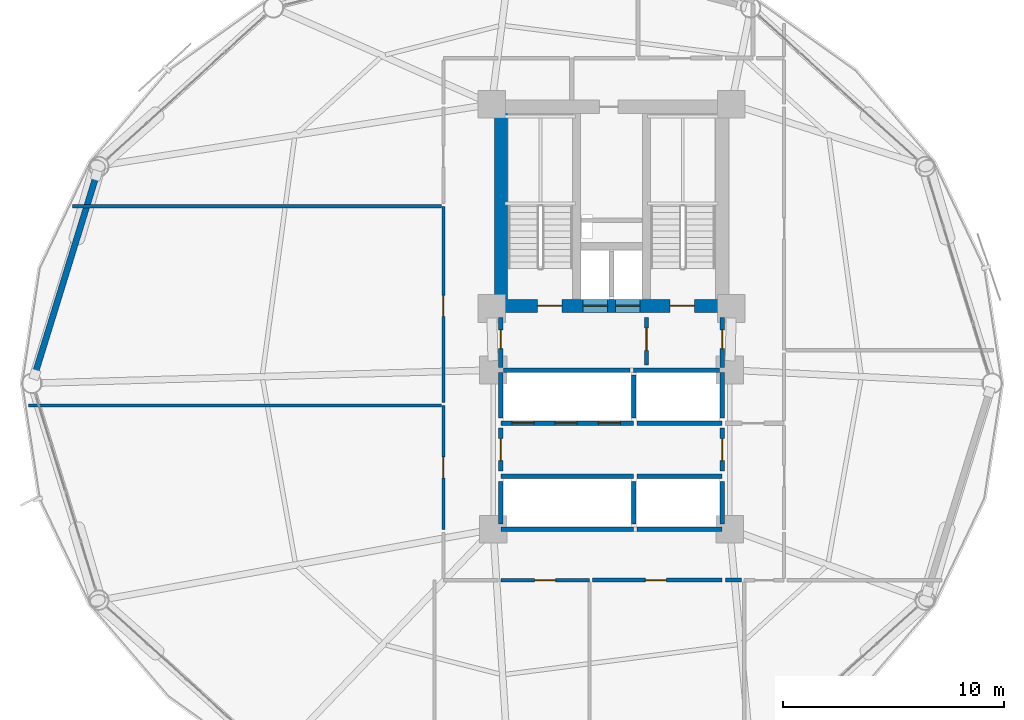
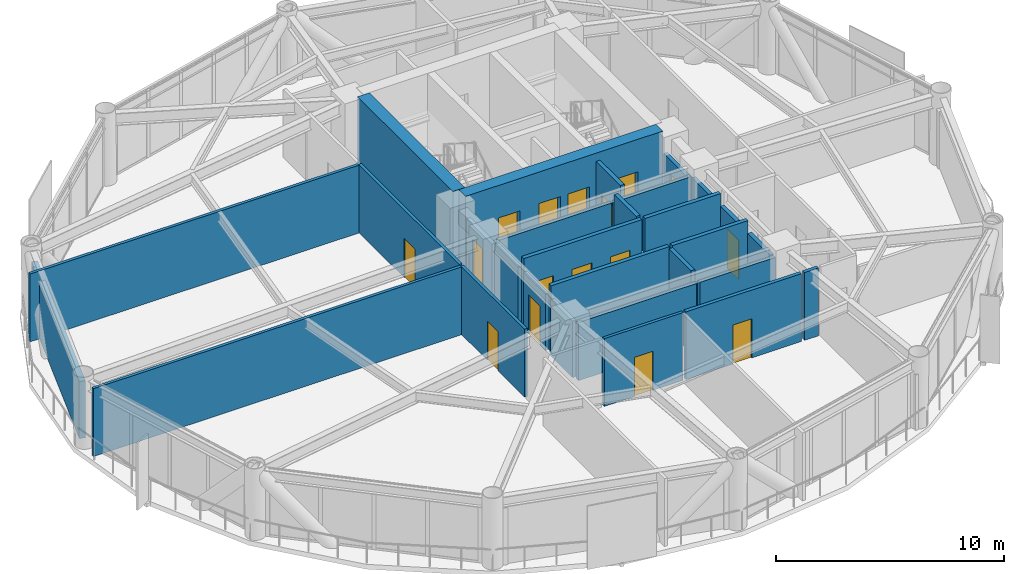
# One storey, part 20 of 25: 29 walls, 16 doors, 16 openings.
"""IFC4 building model written with IfcOpenShell, lengths in metres."""

from ifc_helpers import new_model, si_unit, direction, frame, frame_2d, origin, place, context, subcontext, project, spatial, rectangle, extrude, material, layer, layer_set, type_object, element, fill, save


model = new_model("IFC4")

# Units and contexts
model_context = context("Model", 3, precision=1e-05, world=origin(), true_north=direction((0.0, 1.0)))
body_context = subcontext(model_context, "Body", "Model", "MODEL_VIEW")
ifc_project = project(units=[si_unit("LENGTHUNIT", "METRE"), si_unit("AREAUNIT", "SQUARE_METRE"), si_unit("VOLUMEUNIT", "CUBIC_METRE"), si_unit("PLANEANGLEUNIT", "RADIAN"), si_unit("MASSUNIT", "GRAM", prefix="KILO")], contexts=[model_context])

# Site, building, storey
site_placement = place(None, origin())
site = spatial("IfcSite", under=ifc_project, at=site_placement, CompositionType="ELEMENT")
building_placement = place(site_placement, origin())
building = spatial("IfcBuilding", under=site, at=building_placement, Name="Varnakorn Sky Granary", CompositionType="ELEMENT")
storey_placement = place(building_placement, frame((0.0, 0.0, 70.5)))
storey = spatial("IfcBuildingStorey", under=building, at=storey_placement, Name="L17", CompositionType="ELEMENT", Elevation=70.5)

# Wall, openings, doors
ifc_material_1 = material(Name="Concrete C60/75", Category="concrete")
ifc_layer_1 = layer(ifc_material_1, 0.60009765625, Name="Concrete C60/75")
ifc_layer_set_1 = layer_set([ifc_layer_1], Name="Concrete C60/75")
wall_type_1 = type_object("IfcWallType", Name="WT-CW-SHEAR-600", PredefinedType="SHEAR", material=ifc_layer_set_1)
wall_1_placement = place(storey_placement, frame((-2.0, 3.5, 0.0), z_axis=(0.0, 0.0, 1.0), x_axis=(1.0, 0.0, 0.0)))
wall_1 = element("IfcWall", 1, at=wall_1_placement, inside=storey, type_object=wall_type_1, Name="Core South Shear Wall L17", PredefinedType="SHEAR", context=body_context, shape_type="SweptSolid", body=[
    extrude(rectangle(XDim=10.0, YDim=0.60009765625, at=frame_2d((5.0, 0.0))), origin(), (0.0, 0.0, 1.0), 3.89208984375),
])
opening_1_placement = place(wall_1_placement, frame((1.64990234375, 0.0, 0.0)))
opening_1 = element("IfcOpeningElement", 2, at=opening_1_placement, cuts=wall_1, Name="Opening FD-90", PredefinedType="OPENING", context=body_context, shape_type="SweptSolid", body=[
    extrude(rectangle(XDim=1.10009765625, YDim=2.14990234375, at=frame_2d((0.550048828125, 1.074951171875))), frame((0.0, 0.31005859375, 0.0), z_axis=(0.0, -1.0, 0.0), x_axis=(1.0, 0.0, 0.0)), (0.0, 0.0, 1.0), 0.6201171875),
])
opening_2_placement = place(wall_1_placement, frame((7.64990234375, 0.0, 0.0)))
opening_2 = element("IfcOpeningElement", 3, at=opening_2_placement, cuts=wall_1, Name="Opening FD-90", PredefinedType="OPENING", context=body_context, shape_type="SweptSolid", body=[
    extrude(rectangle(XDim=1.10009765625, YDim=2.14990234375, at=frame_2d((0.550048828125, 1.074951171875))), frame((0.0, 0.31005859375, 0.0), z_axis=(0.0, -1.0, 0.0), x_axis=(1.0, 0.0, 0.0)), (0.0, 0.0, 1.0), 0.6201171875),
])
opening_3_placement = place(wall_1_placement, frame((3.719970703125, 0.0, 0.0)))
opening_3 = element("IfcOpeningElement", 4, at=opening_3_placement, cuts=wall_1, Name="Opening LD-01", PredefinedType="OPENING", context=body_context, shape_type="SweptSolid", body=[
    extrude(rectangle(XDim=1.10009765625, YDim=2.199951171875, at=frame_2d((0.550048828125, 1.10009765625))), frame((0.0, 0.31005859375, 0.0), z_axis=(0.0, -1.0, 0.0), x_axis=(1.0, 0.0, 0.0)), (0.0, 0.0, 1.0), 0.6201171875),
])
opening_4_placement = place(wall_1_placement, frame((5.179931640625, 0.0, 0.0)))
opening_4 = element("IfcOpeningElement", 5, at=opening_4_placement, cuts=wall_1, Name="Opening LD-01", PredefinedType="OPENING", context=body_context, shape_type="SweptSolid", body=[
    extrude(rectangle(XDim=1.10009765625, YDim=2.199951171875, at=frame_2d((0.550048828125, 1.10009765625))), frame((0.0, 0.31005859375, 0.0), z_axis=(0.0, -1.0, 0.0), x_axis=(1.0, 0.0, 0.0)), (0.0, 0.0, 1.0), 0.6201171875),
])
ifc_material_2 = material(Name="Brushed Bronze Stainless Steel", Category="steel")
door_type_1 = type_object("IfcDoorType", Name="DR-LD-1100", OperationType="DOUBLE_DOOR_SLIDING", PredefinedType="DOOR", material=ifc_material_2)
door_1_placement = place(opening_3_placement, origin())
door_1 = element("IfcDoor", 6, at=door_1_placement, inside=storey, type_object=door_type_1, Name="Firefighting Lift FFL-1 Landing Door L17", OperationType="DOUBLE_DOOR_SLIDING", OverallHeight=2.199951171875, OverallWidth=1.10009765625, PredefinedType="DOOR", context=body_context, shape_type="SweptSolid", body=[
    extrude(rectangle(XDim=1.10009765625, YDim=2.199951171875, at=frame_2d((0.550048828125, 1.10009765625))), frame((0.0, 0.02490234375, 0.0), z_axis=(0.0, -1.0, 0.0), x_axis=(1.0, 0.0, 0.0)), (0.0, 0.0, 1.0), 0.050048828125),
])
fill(opening_3, door_1)
door_2_placement = place(opening_4_placement, origin())
door_2 = element("IfcDoor", 7, at=door_2_placement, inside=storey, type_object=door_type_1, Name="Firefighting Lift FFL-2 Landing Door L17", OperationType="DOUBLE_DOOR_SLIDING", OverallHeight=2.199951171875, OverallWidth=1.10009765625, PredefinedType="DOOR", context=body_context, shape_type="SweptSolid", body=[
    extrude(rectangle(XDim=1.10009765625, YDim=2.199951171875, at=frame_2d((0.550048828125, 1.10009765625))), frame((0.0, 0.02490234375, 0.0), z_axis=(0.0, -1.0, 0.0), x_axis=(1.0, 0.0, 0.0)), (0.0, 0.0, 1.0), 0.050048828125),
])
fill(opening_4, door_2)
ifc_material_3 = material(Name="Galvanised Painted Steel Leaf", Category="steel")
door_type_2 = type_object("IfcDoorType", Name="DR-STAIR-1100", OperationType="NOTDEFINED", PredefinedType="DOOR", material=ifc_material_3)
door_3_placement = place(opening_1_placement, origin())
door_3 = element("IfcDoor", 8, at=door_3_placement, inside=storey, type_object=door_type_2, Name="Stair ST-1 Protected Fire Door L17", OperationType="SINGLE_SWING_LEFT", OverallHeight=2.14990234375, OverallWidth=1.10009765625, PredefinedType="DOOR", context=body_context, shape_type="SweptSolid", body=[
    extrude(rectangle(XDim=1.10009765625, YDim=2.14990234375, at=frame_2d((0.550048828125, 1.074951171875))), frame((0.0, 0.02490234375, 0.0), z_axis=(0.0, -1.0, 0.0), x_axis=(1.0, 0.0, 0.0)), (0.0, 0.0, 1.0), 0.050048828125),
])
fill(opening_1, door_3)
door_4_placement = place(opening_2_placement, origin())
door_4 = element("IfcDoor", 9, at=door_4_placement, inside=storey, type_object=door_type_2, Name="Stair ST-2 Protected Fire Door L17", OperationType="SINGLE_SWING_RIGHT", OverallHeight=2.14990234375, OverallWidth=1.10009765625, PredefinedType="DOOR", context=body_context, shape_type="SweptSolid", body=[
    extrude(rectangle(XDim=1.10009765625, YDim=2.14990234375, at=frame_2d((0.550048828125, 1.074951171875))), frame((0.0, 0.02490234375, 0.0), z_axis=(0.0, -1.0, 0.0), x_axis=(1.0, 0.0, 0.0)), (0.0, 0.0, 1.0), 0.050048828125),
])
fill(opening_2, door_4)

# Walls
wall_2_placement = place(storey_placement, frame((-2.0, 3.81005859375, 0.0), z_axis=(0.0, 0.0, 1.0), x_axis=(0.0, 1.0, 0.0)))
element("IfcWall", 10, at=wall_2_placement, inside=storey, type_object=wall_type_1, Name="Core West Shear Wall L17", PredefinedType="SHEAR", context=body_context, shape_type="SweptSolid", body=[
    extrude(rectangle(XDim=8.3798828125, YDim=0.60009765625, at=frame_2d((4.18994140625, 0.0))), origin(), (0.0, 0.0, 1.0), 3.89208984375),
])
ifc_material_4 = material(Name="Precast concrete C40/50", Category="concrete")
ifc_layer_2 = layer(ifc_material_4, 0.280029296875, Name="Precast concrete C40/50")
ifc_layer_set_2 = layer_set([ifc_layer_2], Name="Precast concrete C40/50")
wall_type_2 = type_object("IfcWallType", Name="WT-EW-CRN-280", PredefinedType="SOLIDWALL", material=ifc_layer_set_2)
wall_3_placement = place(storey_placement, frame((-23.072509765625, 0.393798828125, 0.0), z_axis=(0.0, 0.0, 1.0), x_axis=(0.294895424551, 0.955529533075, 0.0)))
element("IfcWall", 11, at=wall_3_placement, inside=storey, type_object=wall_type_2, Name="Agritech Insulated Precast Facade Wall L17-P06", PredefinedType="SOLIDWALL", context=body_context, shape_type="SweptSolid", body=[
    extrude(rectangle(XDim=9.4287109375, YDim=0.280029296875, at=frame_2d((4.71435546875, 0.0))), origin(), (0.0, 0.0, 1.0), 3.06005859375),
])

# Wall, opening, door
ifc_material_5 = material(Name="Autoclaved Aerated Concrete Blockwork", Category="masonry")
ifc_layer_3 = layer(ifc_material_5, 0.199951171875, Name="Autoclaved Aerated Concrete Blockwork")
ifc_layer_set_3 = layer_set([ifc_layer_3], Name="Autoclaved Aerated Concrete Blockwork")
wall_type_3 = type_object("IfcWallType", Name="WT-FIRE-200", PredefinedType="MOVABLE", material=ifc_layer_set_3)
wall_4_placement = place(storey_placement, frame((4.580078125, 0.830078125, 0.0), z_axis=(0.0, 0.0, 1.0), x_axis=(0.0, 1.0, 0.0)))
wall_4 = element("IfcWall", 12, at=wall_4_placement, inside=storey, type_object=wall_type_3, Name="Interior Partition Wall L17-016", PredefinedType="MOVABLE", context=body_context, shape_type="SweptSolid", body=[
    extrude(rectangle(XDim=2.139892578125, YDim=0.199951171875, at=frame_2d((1.06982421875, 0.0))), origin(), (0.0, 0.0, 1.0), 3.639892578125),
])
opening_5_placement = place(wall_4_placement, frame((0.659912109375, 0.0, 0.0)))
opening_5 = element("IfcOpeningElement", 13, at=opening_5_placement, cuts=wall_4, Name="Opening FD-60", PredefinedType="OPENING", context=body_context, shape_type="SweptSolid", body=[
    extrude(rectangle(XDim=1.0, YDim=2.10009765625, at=frame_2d((0.5, 1.050048828125))), frame((0.0, 0.10986328125, 0.0), z_axis=(0.0, -1.0, 0.0), x_axis=(1.0, 0.0, 0.0)), (0.0, 0.0, 1.0), 0.219970703125),
])
ifc_material_6 = material(Name="Acoustic Timber Fire Leaf", Category="wood")
door_type_3 = type_object("IfcDoorType", Name="DR-FD60-1000", OperationType="NOTDEFINED", PredefinedType="DOOR", material=ifc_material_6)
door_5_placement = place(opening_5_placement, origin())
door_5 = element("IfcDoor", 14, at=door_5_placement, inside=storey, type_object=door_type_3, Name="Interior Door L17-016-1", OperationType="SINGLE_SWING_RIGHT", OverallHeight=2.10009765625, OverallWidth=1.0, PredefinedType="DOOR", context=body_context, shape_type="SweptSolid", body=[
    extrude(rectangle(XDim=1.0, YDim=2.10009765625, at=frame_2d((0.5, 1.050048828125))), frame((0.0, 0.02490234375, 0.0), z_axis=(0.0, -1.0, 0.0), x_axis=(1.0, 0.0, 0.0)), (0.0, 0.0, 1.0), 0.050048828125),
])
fill(opening_5, door_5)

wall_5_placement = place(storey_placement, frame((-2.0, 0.719970703125, 0.0), z_axis=(0.0, 0.0, 1.0), x_axis=(0.0, 1.0, 0.0)))
wall_5 = element("IfcWall", 15, at=wall_5_placement, inside=storey, type_object=wall_type_3, Name="Interior Partition Wall L17-017", PredefinedType="MOVABLE", context=body_context, shape_type="SweptSolid", body=[
    extrude(rectangle(XDim=2.25, YDim=0.199951171875, at=frame_2d((1.125, 0.0))), origin(), (0.0, 0.0, 1.0), 2.8720703125),
])
opening_6_placement = place(wall_5_placement, frame((0.844970703125, 0.0, 0.0)))
opening_6 = element("IfcOpeningElement", 16, at=opening_6_placement, cuts=wall_5, Name="Opening FD-60N", PredefinedType="OPENING", context=body_context, shape_type="SweptSolid", body=[
    extrude(rectangle(XDim=0.85009765625, YDim=2.10009765625, at=frame_2d((0.425048828125, 1.050048828125))), frame((0.0, 0.10986328125, 0.0), z_axis=(0.0, -1.0, 0.0), x_axis=(1.0, 0.0, 0.0)), (0.0, 0.0, 1.0), 0.219970703125),
])
door_type_4 = type_object("IfcDoorType", Name="DR-FD60-850", OperationType="NOTDEFINED", PredefinedType="DOOR", material=ifc_material_6)
door_6_placement = place(opening_6_placement, origin())
door_6 = element("IfcDoor", 17, at=door_6_placement, inside=storey, type_object=door_type_4, Name="Interior Door L17-017-1", OperationType="SINGLE_SWING_LEFT", OverallHeight=2.10009765625, OverallWidth=0.85009765625, PredefinedType="DOOR", context=body_context, shape_type="SweptSolid", body=[
    extrude(rectangle(XDim=0.85009765625, YDim=2.10009765625, at=frame_2d((0.425048828125, 1.050048828125))), frame((0.0, 0.02490234375, 0.0), z_axis=(0.0, -1.0, 0.0), x_axis=(1.0, 0.0, 0.0)), (0.0, 0.0, 1.0), 0.050048828125),
])
fill(opening_6, door_6)

wall_6_placement = place(storey_placement, frame((8.0, 0.719970703125, 0.0), z_axis=(0.0, 0.0, 1.0), x_axis=(0.0, 1.0, 0.0)))
wall_6 = element("IfcWall", 18, at=wall_6_placement, inside=storey, type_object=wall_type_3, Name="Interior Partition Wall L17-018", PredefinedType="MOVABLE", context=body_context, shape_type="SweptSolid", body=[
    extrude(rectangle(XDim=2.25, YDim=0.199951171875, at=frame_2d((1.125, 0.0))), origin(), (0.0, 0.0, 1.0), 2.8720703125),
])
opening_7_placement = place(wall_6_placement, frame((0.844970703125, 0.0, 0.0)))
opening_7 = element("IfcOpeningElement", 19, at=opening_7_placement, cuts=wall_6, Name="Opening FD-60N", PredefinedType="OPENING", context=body_context, shape_type="SweptSolid", body=[
    extrude(rectangle(XDim=0.85009765625, YDim=2.10009765625, at=frame_2d((0.425048828125, 1.050048828125))), frame((0.0, 0.10986328125, 0.0), z_axis=(0.0, -1.0, 0.0), x_axis=(1.0, 0.0, 0.0)), (0.0, 0.0, 1.0), 0.219970703125),
])
door_7_placement = place(opening_7_placement, origin())
door_7 = element("IfcDoor", 20, at=door_7_placement, inside=storey, type_object=door_type_4, Name="Interior Door L17-018-1", OperationType="SINGLE_SWING_RIGHT", OverallHeight=2.10009765625, OverallWidth=0.85009765625, PredefinedType="DOOR", context=body_context, shape_type="SweptSolid", body=[
    extrude(rectangle(XDim=0.85009765625, YDim=2.10009765625, at=frame_2d((0.425048828125, 1.050048828125))), frame((0.0, 0.02490234375, 0.0), z_axis=(0.0, -1.0, 0.0), x_axis=(1.0, 0.0, 0.0)), (0.0, 0.0, 1.0), 0.050048828125),
])
fill(opening_7, door_7)

wall_7_placement = place(storey_placement, frame((-2.0, -3.969970703125, 0.0), z_axis=(0.0, 0.0, 1.0), x_axis=(0.0, 1.0, 0.0)))
wall_7 = element("IfcWall", 21, at=wall_7_placement, inside=storey, type_object=wall_type_3, Name="Interior Partition Wall L17-019", PredefinedType="MOVABLE", context=body_context, shape_type="SweptSolid", body=[
    extrude(rectangle(XDim=1.93994140625, YDim=0.199951171875, at=frame_2d((0.969970703125, 0.0))), origin(), (0.0, 0.0, 1.0), 3.02197265625),
])
opening_8_placement = place(wall_7_placement, frame((0.469970703125, 0.0, 0.0)))
opening_8 = element("IfcOpeningElement", 22, at=opening_8_placement, cuts=wall_7, Name="Opening FD-60", PredefinedType="OPENING", context=body_context, shape_type="SweptSolid", body=[
    extrude(rectangle(XDim=1.0, YDim=2.10009765625, at=frame_2d((0.5, 1.050048828125))), frame((0.0, 0.10986328125, 0.0), z_axis=(0.0, -1.0, 0.0), x_axis=(1.0, 0.0, 0.0)), (0.0, 0.0, 1.0), 0.219970703125),
])
door_8_placement = place(opening_8_placement, origin())
door_8 = element("IfcDoor", 23, at=door_8_placement, inside=storey, type_object=door_type_3, Name="Interior Door L17-019-1", OperationType="SINGLE_SWING_LEFT", OverallHeight=2.10009765625, OverallWidth=1.0, PredefinedType="DOOR", context=body_context, shape_type="SweptSolid", body=[
    extrude(rectangle(XDim=1.0, YDim=2.10009765625, at=frame_2d((0.5, 1.050048828125))), frame((0.0, 0.02490234375, 0.0), z_axis=(0.0, -1.0, 0.0), x_axis=(1.0, 0.0, 0.0)), (0.0, 0.0, 1.0), 0.050048828125),
])
fill(opening_8, door_8)

wall_8_placement = place(storey_placement, frame((8.0, -3.969970703125, 0.0), z_axis=(0.0, 0.0, 1.0), x_axis=(0.0, 1.0, 0.0)))
wall_8 = element("IfcWall", 24, at=wall_8_placement, inside=storey, type_object=wall_type_3, Name="Interior Partition Wall L17-020", PredefinedType="MOVABLE", context=body_context, shape_type="SweptSolid", body=[
    extrude(rectangle(XDim=1.93994140625, YDim=0.199951171875, at=frame_2d((0.969970703125, 0.0))), origin(), (0.0, 0.0, 1.0), 3.072021484375),
])
opening_9_placement = place(wall_8_placement, frame((0.469970703125, 0.0, 0.0)))
opening_9 = element("IfcOpeningElement", 25, at=opening_9_placement, cuts=wall_8, Name="Opening FD-60", PredefinedType="OPENING", context=body_context, shape_type="SweptSolid", body=[
    extrude(rectangle(XDim=1.0, YDim=2.10009765625, at=frame_2d((0.5, 1.050048828125))), frame((0.0, 0.10986328125, 0.0), z_axis=(0.0, -1.0, 0.0), x_axis=(1.0, 0.0, 0.0)), (0.0, 0.0, 1.0), 0.219970703125),
])
door_9_placement = place(opening_9_placement, origin())
door_9 = element("IfcDoor", 26, at=door_9_placement, inside=storey, type_object=door_type_3, Name="Interior Door L17-020-1", OperationType="SINGLE_SWING_RIGHT", OverallHeight=2.10009765625, OverallWidth=1.0, PredefinedType="DOOR", context=body_context, shape_type="SweptSolid", body=[
    extrude(rectangle(XDim=1.0, YDim=2.10009765625, at=frame_2d((0.5, 1.050048828125))), frame((0.0, 0.02490234375, 0.0), z_axis=(0.0, -1.0, 0.0), x_axis=(1.0, 0.0, 0.0)), (0.0, 0.0, 1.0), 0.050048828125),
])
fill(opening_9, door_9)

# Wall
wall_9_placement = place(storey_placement, frame((-1.8798828125, 0.60009765625, 0.0), z_axis=(0.0, 0.0, 1.0), x_axis=(1.0, 0.0, 0.0)))
element("IfcWall", 27, at=wall_9_placement, inside=storey, type_object=wall_type_3, Name="Interior Partition Wall L17-031", PredefinedType="MOVABLE", context=body_context, shape_type="SweptSolid", body=[
    extrude(rectangle(XDim=5.719970703125, YDim=0.199951171875, at=frame_2d((2.85986328125, 0.0))), origin(), (0.0, 0.0, 1.0), 3.1220703125),
])

# Wall, opening, door
ifc_material_7 = material(Name="Gypsum Plasterboard on Steel Stud", Category="steel")
ifc_layer_4 = layer(ifc_material_7, 0.14990234375, Name="Gypsum Plasterboard on Steel Stud")
ifc_layer_set_4 = layer_set([ifc_layer_4], Name="Gypsum Plasterboard on Steel Stud")
wall_type_4 = type_object("IfcWallType", Name="WT-PART-150", PredefinedType="PARTITIONING", material=ifc_layer_set_4)
wall_10_placement = place(storey_placement, frame((-2.0, -8.89990234375, 0.0), z_axis=(0.0, 0.0, 1.0), x_axis=(1.0, 0.0, 0.0)))
wall_10 = element("IfcWall", 28, at=wall_10_placement, inside=storey, type_object=wall_type_4, Name="Interior Partition Wall L17-023", PredefinedType="PARTITIONING", context=body_context, shape_type="SweptSolid", body=[
    extrude(rectangle(XDim=4.0, YDim=0.14990234375, at=frame_2d((2.0, 0.0))), origin(), (0.0, 0.0, 1.0), 3.639892578125),
])
opening_10_placement = place(wall_10_placement, frame((1.52490234375, 0.0, 0.0)))
opening_10 = element("IfcOpeningElement", 29, at=opening_10_placement, cuts=wall_10, Name="Opening ID-95", PredefinedType="OPENING", context=body_context, shape_type="SweptSolid", body=[
    extrude(rectangle(XDim=0.949951171875, YDim=2.10009765625, at=frame_2d((0.47509765625, 1.050048828125))), frame((0.0, 0.0849609375, 0.0), z_axis=(0.0, -1.0, 0.0), x_axis=(1.0, 0.0, 0.0)), (0.0, 0.0, 1.0), 0.169921875),
])
ifc_material_8 = material(Name="Solid-Core Teak Veneer Leaf", Category="timber")
door_type_5 = type_object("IfcDoorType", Name="DR-INT-950", OperationType="NOTDEFINED", PredefinedType="DOOR", material=ifc_material_8)
door_10_placement = place(opening_10_placement, origin())
door_10 = element("IfcDoor", 30, at=door_10_placement, inside=storey, type_object=door_type_5, Name="Interior Door L17-023-1", OperationType="SINGLE_SWING_LEFT", OverallHeight=2.10009765625, OverallWidth=0.949951171875, PredefinedType="DOOR", context=body_context, shape_type="SweptSolid", body=[
    extrude(rectangle(XDim=0.949951171875, YDim=2.10009765625, at=frame_2d((0.47509765625, 1.050048828125))), frame((0.0, 0.02490234375, 0.0), z_axis=(0.0, -1.0, 0.0), x_axis=(1.0, 0.0, 0.0)), (0.0, 0.0, 1.0), 0.050048828125),
])
fill(opening_10, door_10)

wall_11_placement = place(storey_placement, frame((-4.60009765625, -1.0, 0.0), z_axis=(0.0, 0.0, 1.0), x_axis=(0.0, -1.0, 0.0)))
wall_11 = element("IfcWall", 31, at=wall_11_placement, inside=storey, type_object=wall_type_4, Name="Interior Partition Wall L17-026", PredefinedType="PARTITIONING", context=body_context, shape_type="SweptSolid", body=[
    extrude(rectangle(XDim=5.60009765625, YDim=0.14990234375, at=frame_2d((2.800048828125, 0.0))), origin(), (0.0, 0.0, 1.0), 3.639892578125),
])
opening_11_placement = place(wall_11_placement, frame((2.324951171875, 0.0, 0.0)))
opening_11 = element("IfcOpeningElement", 32, at=opening_11_placement, cuts=wall_11, Name="Opening ID-95", PredefinedType="OPENING", context=body_context, shape_type="SweptSolid", body=[
    extrude(rectangle(XDim=0.949951171875, YDim=2.10009765625, at=frame_2d((0.47509765625, 1.050048828125))), frame((0.0, 0.0849609375, 0.0), z_axis=(0.0, -1.0, 0.0), x_axis=(1.0, 0.0, 0.0)), (0.0, 0.0, 1.0), 0.169921875),
])
door_11_placement = place(opening_11_placement, origin())
door_11 = element("IfcDoor", 33, at=door_11_placement, inside=storey, type_object=door_type_5, Name="Interior Door L17-026-1", OperationType="SINGLE_SWING_RIGHT", OverallHeight=2.10009765625, OverallWidth=0.949951171875, PredefinedType="DOOR", context=body_context, shape_type="SweptSolid", body=[
    extrude(rectangle(XDim=0.949951171875, YDim=2.10009765625, at=frame_2d((0.47509765625, 1.050048828125))), frame((0.0, 0.02490234375, 0.0), z_axis=(0.0, -1.0, 0.0), x_axis=(1.0, 0.0, 0.0)), (0.0, 0.0, 1.0), 0.050048828125),
])
fill(opening_11, door_11)

wall_12_placement = place(storey_placement, frame((-4.60009765625, 8.0, 0.0), z_axis=(0.0, 0.0, 1.0), x_axis=(0.0, -1.0, 0.0)))
wall_12 = element("IfcWall", 34, at=wall_12_placement, inside=storey, type_object=wall_type_4, Name="Interior Partition Wall L17-027", PredefinedType="PARTITIONING", context=body_context, shape_type="SweptSolid", body=[
    extrude(rectangle(XDim=8.864990234375, YDim=0.14990234375, at=frame_2d((4.4326171875, 0.0))), origin(), (0.0, 0.0, 1.0), 3.639892578125),
])
opening_12_placement = place(wall_12_placement, frame((4.02490234375, 0.0, 0.0)))
opening_12 = element("IfcOpeningElement", 35, at=opening_12_placement, cuts=wall_12, Name="Opening ID-95", PredefinedType="OPENING", context=body_context, shape_type="SweptSolid", body=[
    extrude(rectangle(XDim=0.949951171875, YDim=2.10009765625, at=frame_2d((0.47509765625, 1.050048828125))), frame((0.0, 0.0849609375, 0.0), z_axis=(0.0, -1.0, 0.0), x_axis=(1.0, 0.0, 0.0)), (0.0, 0.0, 1.0), 0.169921875),
])
door_12_placement = place(opening_12_placement, origin())
door_12 = element("IfcDoor", 36, at=door_12_placement, inside=storey, type_object=door_type_5, Name="Interior Door L17-027-1", OperationType="SINGLE_SWING_LEFT", OverallHeight=2.10009765625, OverallWidth=0.949951171875, PredefinedType="DOOR", context=body_context, shape_type="SweptSolid", body=[
    extrude(rectangle(XDim=0.949951171875, YDim=2.10009765625, at=frame_2d((0.47509765625, 1.050048828125))), frame((0.0, 0.02490234375, 0.0), z_axis=(0.0, -1.0, 0.0), x_axis=(1.0, 0.0, 0.0)), (0.0, 0.0, 1.0), 0.050048828125),
])
fill(opening_12, door_12)

# Walls
wall_13_placement = place(storey_placement, frame((-23.35107421875, -1.0, 0.0), z_axis=(0.0, 0.0, 1.0), x_axis=(1.0, 0.0, 0.0)))
element("IfcWall", 37, at=wall_13_placement, inside=storey, type_object=wall_type_4, Name="Interior Partition Wall L17-041", PredefinedType="PARTITIONING", context=body_context, shape_type="SweptSolid", body=[
    extrude(rectangle(XDim=18.666015625, YDim=0.14990234375, at=frame_2d((9.3330078125, 0.0))), origin(), (0.0, 0.0, 1.0), 3.639892578125),
])
wall_14_placement = place(storey_placement, frame((-21.366943359375, 8.0, 0.0), z_axis=(0.0, 0.0, 1.0), x_axis=(1.0, 0.0, 0.0)))
element("IfcWall", 38, at=wall_14_placement, inside=storey, type_object=wall_type_4, Name="Interior Partition Wall L17-042", PredefinedType="PARTITIONING", context=body_context, shape_type="SweptSolid", body=[
    extrude(rectangle(XDim=16.681884765625, YDim=0.14990234375, at=frame_2d((8.3408203125, 0.0))), origin(), (0.0, 0.0, 1.0), 3.639892578125),
])

# Wall, opening, door
ifc_material_9 = material(Name="Moisture-Resistant Gypsum on Stud", Category="gypsum")
ifc_layer_5 = layer(ifc_material_9, 0.179931640625, Name="Moisture-Resistant Gypsum on Stud")
ifc_layer_set_5 = layer_set([ifc_layer_5], Name="Moisture-Resistant Gypsum on Stud")
wall_type_5 = type_object("IfcWallType", Name="WT-PLUMB-180", PredefinedType="PLUMBINGWALL", material=ifc_layer_set_5)
wall_15_placement = place(storey_placement, frame((2.135009765625, -8.89990234375, 0.0), z_axis=(0.0, 0.0, 1.0), x_axis=(1.0, 0.0, 0.0)))
wall_15 = element("IfcWall", 39, at=wall_15_placement, inside=storey, type_object=wall_type_5, Name="Interior Partition Wall L17-024", PredefinedType="PLUMBINGWALL", context=body_context, shape_type="SweptSolid", body=[
    extrude(rectangle(XDim=5.864990234375, YDim=0.179931640625, at=frame_2d((2.9326171875, 0.0))), origin(), (0.0, 0.0, 1.0), 3.639892578125),
])
opening_13_placement = place(wall_15_placement, frame((2.389892578125, 0.0, 0.0)))
opening_13 = element("IfcOpeningElement", 40, at=opening_13_placement, cuts=wall_15, Name="Opening ID-95", PredefinedType="OPENING", context=body_context, shape_type="SweptSolid", body=[
    extrude(rectangle(XDim=0.949951171875, YDim=2.10009765625, at=frame_2d((0.47509765625, 1.050048828125))), frame((0.0, 0.10009765625, 0.0), z_axis=(0.0, -1.0, 0.0), x_axis=(1.0, 0.0, 0.0)), (0.0, 0.0, 1.0), 0.199951171875),
])
door_13_placement = place(opening_13_placement, origin())
door_13 = element("IfcDoor", 41, at=door_13_placement, inside=storey, type_object=door_type_5, Name="Interior Door L17-024-1", OperationType="SINGLE_SWING_RIGHT", OverallHeight=2.10009765625, OverallWidth=0.949951171875, PredefinedType="DOOR", context=body_context, shape_type="SweptSolid", body=[
    extrude(rectangle(XDim=0.949951171875, YDim=2.10009765625, at=frame_2d((0.47509765625, 1.050048828125))), frame((0.0, 0.02490234375, 0.0), z_axis=(0.0, -1.0, 0.0), x_axis=(1.0, 0.0, 0.0)), (0.0, 0.0, 1.0), 0.050048828125),
])
fill(opening_13, door_13)

# Walls
wall_16_placement = place(storey_placement, frame((8.14990234375, -8.89990234375, 0.0), z_axis=(0.0, 0.0, 1.0), x_axis=(1.0, 0.0, 0.0)))
element("IfcWall", 42, at=wall_16_placement, inside=storey, type_object=wall_type_5, Name="Interior Partition Wall L17-037", PredefinedType="PLUMBINGWALL", context=body_context, shape_type="SweptSolid", body=[
    extrude(rectangle(XDim=0.715087890625, YDim=0.179931640625, at=frame_2d((0.357421875, 0.0))), origin(), (0.0, 0.0, 1.0), 3.639892578125),
])
ifc_layer_6 = layer(ifc_material_5, 0.199951171875, Name="Autoclaved Aerated Concrete Blockwork")
ifc_layer_set_6 = layer_set([ifc_layer_6], Name="Autoclaved Aerated Concrete Blockwork")
wall_type_6 = type_object("IfcWallType", Name="WT-SHAFT-200", PredefinedType="SOLIDWALL", material=ifc_layer_set_6)
wall_17_placement = place(storey_placement, frame((4.0, 0.60009765625, 0.0), z_axis=(0.0, 0.0, 1.0), x_axis=(1.0, 0.0, 0.0)))
element("IfcWall", 43, at=wall_17_placement, inside=storey, type_object=wall_type_6, Name="Interior Partition Wall L17-003", PredefinedType="SOLIDWALL", context=body_context, shape_type="SweptSolid", body=[
    extrude(rectangle(XDim=3.8798828125, YDim=0.199951171875, at=frame_2d((1.93994140625, 0.0))), origin(), (0.0, 0.0, 1.0), 3.1220703125),
])

# Wall, openings, doors
wall_18_placement = place(storey_placement, frame((-2.0, -1.800048828125, 0.0), z_axis=(0.0, 0.0, 1.0), x_axis=(1.0, 0.0, 0.0)))
wall_18 = element("IfcWall", 44, at=wall_18_placement, inside=storey, type_object=wall_type_6, Name="Interior Partition Wall L17-004", PredefinedType="SOLIDWALL", context=body_context, shape_type="SweptSolid", body=[
    extrude(rectangle(XDim=6.0, YDim=0.199951171875, at=frame_2d((3.0, 0.0))), origin(), (0.0, 0.0, 1.0), 3.639892578125),
])
opening_14_placement = place(wall_18_placement, frame((0.5, 0.0, 0.0)))
opening_14 = element("IfcOpeningElement", 45, at=opening_14_placement, cuts=wall_18, Name="Opening LD-03", PredefinedType="OPENING", context=body_context, shape_type="SweptSolid", body=[
    extrude(rectangle(XDim=1.0, YDim=2.199951171875, at=frame_2d((0.5, 1.10009765625))), frame((0.0, 0.10986328125, 0.0), z_axis=(0.0, -1.0, 0.0), x_axis=(1.0, 0.0, 0.0)), (0.0, 0.0, 1.0), 0.219970703125),
])
opening_15_placement = place(wall_18_placement, frame((2.449951171875, 0.0, 0.0)))
opening_15 = element("IfcOpeningElement", 46, at=opening_15_placement, cuts=wall_18, Name="Opening LD-03", PredefinedType="OPENING", context=body_context, shape_type="SweptSolid", body=[
    extrude(rectangle(XDim=1.0, YDim=2.199951171875, at=frame_2d((0.5, 1.10009765625))), frame((0.0, 0.10986328125, 0.0), z_axis=(0.0, -1.0, 0.0), x_axis=(1.0, 0.0, 0.0)), (0.0, 0.0, 1.0), 0.219970703125),
])
opening_16_placement = place(wall_18_placement, frame((4.39990234375, 0.0, 0.0)))
opening_16 = element("IfcOpeningElement", 47, at=opening_16_placement, cuts=wall_18, Name="Opening LD-03", PredefinedType="OPENING", context=body_context, shape_type="SweptSolid", body=[
    extrude(rectangle(XDim=1.0, YDim=2.199951171875, at=frame_2d((0.5, 1.10009765625))), frame((0.0, 0.10986328125, 0.0), z_axis=(0.0, -1.0, 0.0), x_axis=(1.0, 0.0, 0.0)), (0.0, 0.0, 1.0), 0.219970703125),
])
door_type_6 = type_object("IfcDoorType", Name="DR-LD-1000", OperationType="DOUBLE_DOOR_SLIDING", PredefinedType="DOOR", material=ifc_material_2)
door_14_placement = place(opening_14_placement, origin())
door_14 = element("IfcDoor", 48, at=door_14_placement, inside=storey, type_object=door_type_6, Name="Passenger Lift PL-L1 Sliding Landing Door L17", OperationType="DOUBLE_DOOR_SLIDING", OverallHeight=2.199951171875, OverallWidth=1.0, PredefinedType="DOOR", context=body_context, shape_type="SweptSolid", body=[
    extrude(rectangle(XDim=1.0, YDim=2.199951171875, at=frame_2d((0.5, 1.10009765625))), frame((0.0, 0.02490234375, 0.0), z_axis=(0.0, -1.0, 0.0), x_axis=(1.0, 0.0, 0.0)), (0.0, 0.0, 1.0), 0.050048828125),
])
fill(opening_14, door_14)
door_15_placement = place(opening_15_placement, origin())
door_15 = element("IfcDoor", 49, at=door_15_placement, inside=storey, type_object=door_type_6, Name="Passenger Lift PL-L2 Sliding Landing Door L17", OperationType="DOUBLE_DOOR_SLIDING", OverallHeight=2.199951171875, OverallWidth=1.0, PredefinedType="DOOR", context=body_context, shape_type="SweptSolid", body=[
    extrude(rectangle(XDim=1.0, YDim=2.199951171875, at=frame_2d((0.5, 1.10009765625))), frame((0.0, 0.02490234375, 0.0), z_axis=(0.0, -1.0, 0.0), x_axis=(1.0, 0.0, 0.0)), (0.0, 0.0, 1.0), 0.050048828125),
])
fill(opening_15, door_15)
door_16_placement = place(opening_16_placement, origin())
door_16 = element("IfcDoor", 50, at=door_16_placement, inside=storey, type_object=door_type_6, Name="Passenger Lift PL-L3 Sliding Landing Door L17", OperationType="DOUBLE_DOOR_SLIDING", OverallHeight=2.199951171875, OverallWidth=1.0, PredefinedType="DOOR", context=body_context, shape_type="SweptSolid", body=[
    extrude(rectangle(XDim=1.0, YDim=2.199951171875, at=frame_2d((0.5, 1.10009765625))), frame((0.0, 0.02490234375, 0.0), z_axis=(0.0, -1.0, 0.0), x_axis=(1.0, 0.0, 0.0)), (0.0, 0.0, 1.0), 0.050048828125),
])
fill(opening_16, door_16)

# Walls
wall_19_placement = place(storey_placement, frame((-2.0, -1.570068359375, 0.0), z_axis=(0.0, 0.0, 1.0), x_axis=(0.0, 1.0, 0.0)))
element("IfcWall", 51, at=wall_19_placement, inside=storey, type_object=wall_type_6, Name="Interior Partition Wall L17-005", PredefinedType="SOLIDWALL", context=body_context, shape_type="SweptSolid", body=[
    extrude(rectangle(XDim=2.050048828125, YDim=0.199951171875, at=frame_2d((1.02490234375, 0.0))), origin(), (0.0, 0.0, 1.0), 3.02197265625),
])
wall_20_placement = place(storey_placement, frame((4.159912109375, -1.800048828125, 0.0), z_axis=(0.0, 0.0, 1.0), x_axis=(1.0, 0.0, 0.0)))
element("IfcWall", 52, at=wall_20_placement, inside=storey, type_object=wall_type_6, Name="Interior Partition Wall L17-006", PredefinedType="SOLIDWALL", context=body_context, shape_type="SweptSolid", body=[
    extrude(rectangle(XDim=3.840087890625, YDim=0.199951171875, at=frame_2d((1.919921875, 0.0))), origin(), (0.0, 0.0, 1.0), 3.639892578125),
])
wall_21_placement = place(storey_placement, frame((4.0, -1.570068359375, 0.0), z_axis=(0.0, 0.0, 1.0), x_axis=(0.0, 1.0, 0.0)))
element("IfcWall", 53, at=wall_21_placement, inside=storey, type_object=wall_type_6, Name="Interior Partition Wall L17-007", PredefinedType="SOLIDWALL", context=body_context, shape_type="SweptSolid", body=[
    extrude(rectangle(XDim=1.940185546875, YDim=0.199951171875, at=frame_2d((0.97021484375, 0.0))), origin(), (0.0, 0.0, 1.0), 3.639892578125),
])
wall_22_placement = place(storey_placement, frame((8.0, -1.570068359375, 0.0), z_axis=(0.0, 0.0, 1.0), x_axis=(0.0, 1.0, 0.0)))
element("IfcWall", 54, at=wall_22_placement, inside=storey, type_object=wall_type_6, Name="Interior Partition Wall L17-008", PredefinedType="SOLIDWALL", context=body_context, shape_type="SweptSolid", body=[
    extrude(rectangle(XDim=2.050048828125, YDim=0.199951171875, at=frame_2d((1.02490234375, 0.0))), origin(), (0.0, 0.0, 1.0), 3.072021484375),
])
wall_23_placement = place(storey_placement, frame((-2.0, -4.199951171875, 0.0), z_axis=(0.0, 0.0, 1.0), x_axis=(1.0, 0.0, 0.0)))
element("IfcWall", 55, at=wall_23_placement, inside=storey, type_object=wall_type_6, Name="Interior Partition Wall L17-009", PredefinedType="SOLIDWALL", context=body_context, shape_type="SweptSolid", body=[
    extrude(rectangle(XDim=6.0, YDim=0.199951171875, at=frame_2d((3.0, 0.0))), origin(), (0.0, 0.0, 1.0), 3.639892578125),
])
wall_24_placement = place(storey_placement, frame((-2.0, -6.60009765625, 0.0), z_axis=(0.0, 0.0, 1.0), x_axis=(1.0, 0.0, 0.0)))
element("IfcWall", 56, at=wall_24_placement, inside=storey, type_object=wall_type_6, Name="Interior Partition Wall L17-010", PredefinedType="SOLIDWALL", context=body_context, shape_type="SweptSolid", body=[
    extrude(rectangle(XDim=6.0, YDim=0.199951171875, at=frame_2d((3.0, 0.0))), origin(), (0.0, 0.0, 1.0), 3.1220703125),
])
wall_25_placement = place(storey_placement, frame((-2.0, -6.3701171875, 0.0), z_axis=(0.0, 0.0, 1.0), x_axis=(0.0, 1.0, 0.0)))
element("IfcWall", 57, at=wall_25_placement, inside=storey, type_object=wall_type_6, Name="Interior Partition Wall L17-011", PredefinedType="SOLIDWALL", context=body_context, shape_type="SweptSolid", body=[
    extrude(rectangle(XDim=1.940185546875, YDim=0.199951171875, at=frame_2d((0.97021484375, 0.0))), origin(), (0.0, 0.0, 1.0), 3.02197265625),
])
wall_26_placement = place(storey_placement, frame((4.159912109375, -4.199951171875, 0.0), z_axis=(0.0, 0.0, 1.0), x_axis=(1.0, 0.0, 0.0)))
element("IfcWall", 58, at=wall_26_placement, inside=storey, type_object=wall_type_6, Name="Interior Partition Wall L17-012", PredefinedType="SOLIDWALL", context=body_context, shape_type="SweptSolid", body=[
    extrude(rectangle(XDim=3.840087890625, YDim=0.199951171875, at=frame_2d((1.919921875, 0.0))), origin(), (0.0, 0.0, 1.0), 3.639892578125),
])
wall_27_placement = place(storey_placement, frame((4.159912109375, -6.60009765625, 0.0), z_axis=(0.0, 0.0, 1.0), x_axis=(1.0, 0.0, 0.0)))
element("IfcWall", 59, at=wall_27_placement, inside=storey, type_object=wall_type_6, Name="Interior Partition Wall L17-013", PredefinedType="SOLIDWALL", context=body_context, shape_type="SweptSolid", body=[
    extrude(rectangle(XDim=3.840087890625, YDim=0.199951171875, at=frame_2d((1.919921875, 0.0))), origin(), (0.0, 0.0, 1.0), 3.1220703125),
])
wall_28_placement = place(storey_placement, frame((4.0, -6.3701171875, 0.0), z_axis=(0.0, 0.0, 1.0), x_axis=(0.0, 1.0, 0.0)))
element("IfcWall", 60, at=wall_28_placement, inside=storey, type_object=wall_type_6, Name="Interior Partition Wall L17-014", PredefinedType="SOLIDWALL", context=body_context, shape_type="SweptSolid", body=[
    extrude(rectangle(XDim=1.940185546875, YDim=0.199951171875, at=frame_2d((0.97021484375, 0.0))), origin(), (0.0, 0.0, 1.0), 3.639892578125),
])
wall_29_placement = place(storey_placement, frame((8.0, -6.3701171875, 0.0), z_axis=(0.0, 0.0, 1.0), x_axis=(0.0, 1.0, 0.0)))
element("IfcWall", 61, at=wall_29_placement, inside=storey, type_object=wall_type_6, Name="Interior Partition Wall L17-015", PredefinedType="SOLIDWALL", context=body_context, shape_type="SweptSolid", body=[
    extrude(rectangle(XDim=1.940185546875, YDim=0.199951171875, at=frame_2d((0.97021484375, 0.0))), origin(), (0.0, 0.0, 1.0), 3.072021484375),
])

save(model, "model.ifc")
